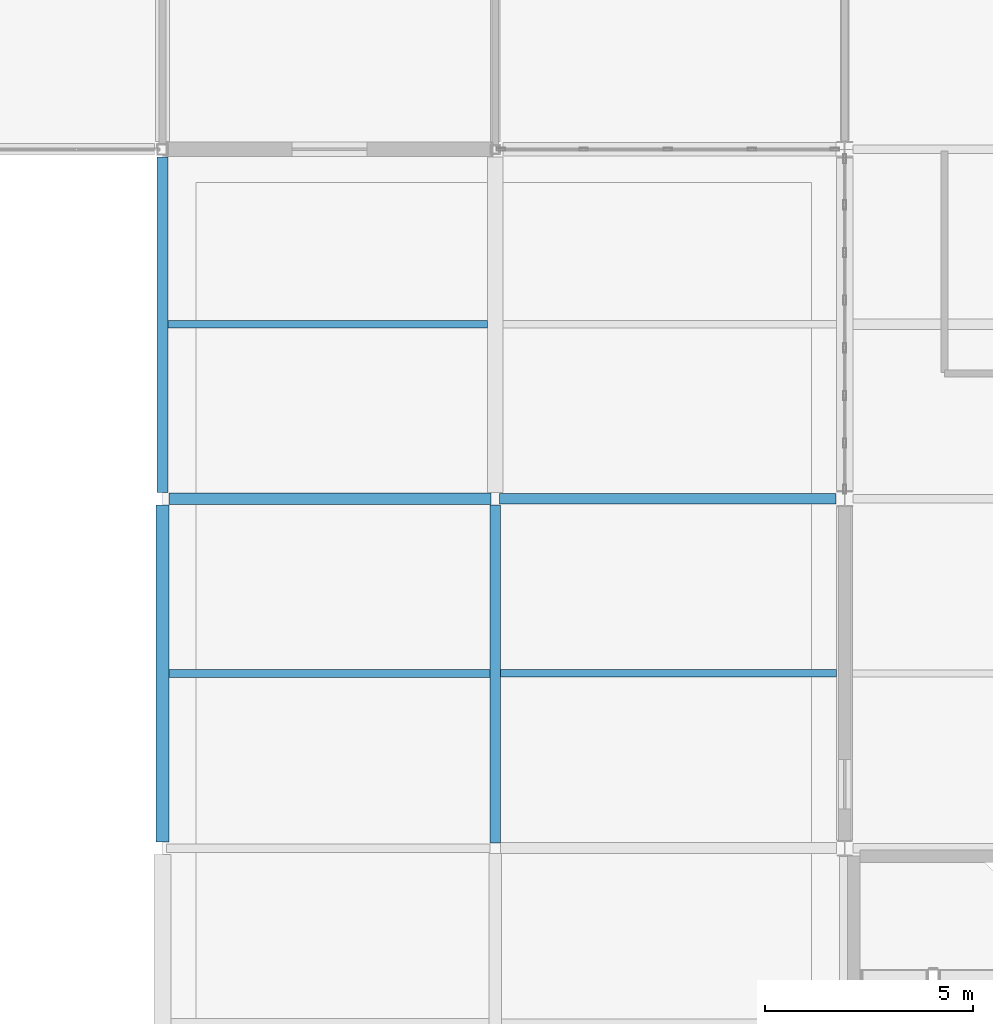
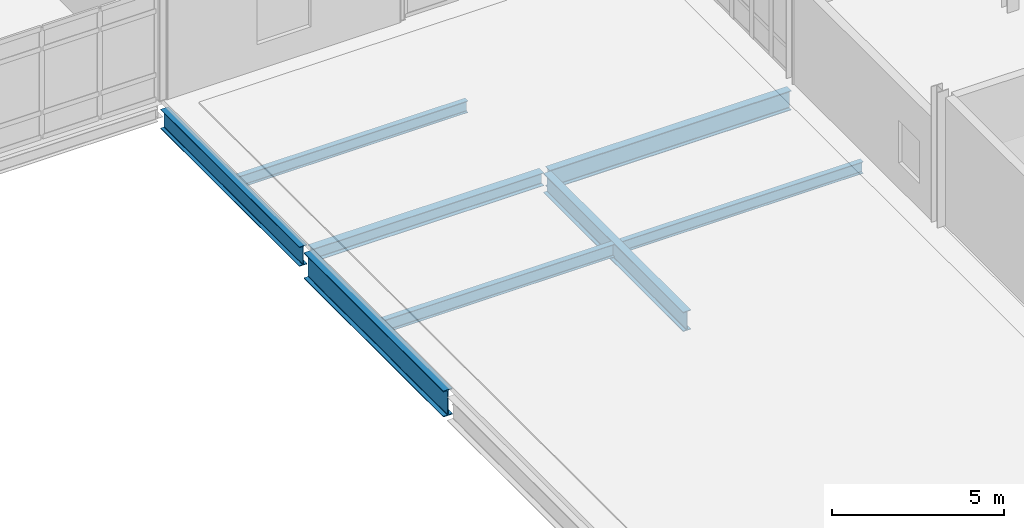
# One storey, part 66 of 186: 8 beams.
"""IFC4 building model written with IfcOpenShell, lengths in metres."""

from ifc_helpers import new_model, si_unit, direction, frame, origin, origin_2d, place, context, subcontext, project, spatial, i_section, extrude, material, material_profile, profile_set, type_object, element, save


model = new_model("IFC4")

# Units and contexts
model_context = context("Model", 3, precision=1e-05, world=origin(), true_north=direction((0.0, 1.0)))
body_context = subcontext(model_context, "Body", "Model", "MODEL_VIEW")
ifc_project = project(units=[si_unit("LENGTHUNIT", "METRE"), si_unit("AREAUNIT", "SQUARE_METRE"), si_unit("VOLUMEUNIT", "CUBIC_METRE"), si_unit("PLANEANGLEUNIT", "RADIAN"), si_unit("MASSUNIT", "GRAM", prefix="KILO")], contexts=[model_context])

# Site, building, storey
site_placement = place(None, origin())
site = spatial("IfcSite", under=ifc_project, at=site_placement, CompositionType="ELEMENT")
building_placement = place(site_placement, origin())
building = spatial("IfcBuilding", under=site, at=building_placement, Name="Calvrana Isthmian Art Gallery", CompositionType="ELEMENT")
storey_placement = place(building_placement, frame((0.0, 0.0, 5.39990234375)))
storey = spatial("IfcBuildingStorey", under=building, at=storey_placement, Name="L01", CompositionType="ELEMENT", Elevation=5.39990234375)

# Beams
ifc_material = material(Name="Steel ASTM A992 Gr 50", Category="steel")
ifc_material_profile_1 = material_profile(ifc_material, i_section(OverallWidth=0.279052734375, OverallDepth=0.4619140625, WebThickness=0.0107421875, FlangeThickness=0.017333984375, FilletRadius=0.02001953125, at=origin_2d()), Name="W18X76")
ifc_profile_set_1 = profile_set([ifc_material_profile_1], Name="Steel ASTM A992 Gr 50")
beam_type_1 = type_object("IfcBeamType", Name="BM-G-W18X76", PredefinedType="BEAM", material=ifc_profile_set_1)
beam_1_placement = place(storey_placement, frame((96.552490234375, 38.39990234375, -0.475830078125), z_axis=(1.0, 0.0, 0.0), x_axis=(0.0, 1.0, 0.0)))
element("IfcBeam", 1, at=beam_1_placement, inside=storey, type_object=beam_type_1, Name="Girder X L01 13-14/F", PredefinedType="BEAM", context=body_context, shape_type="SweptSolid", body=[
    extrude(i_section(OverallWidth=0.279052734375, OverallDepth=0.4619140625, WebThickness=0.0107421875, FlangeThickness=0.017333984375, FilletRadius=0.02001953125, at=origin_2d()), origin(), (0.0, 0.0, 1.0), 7.745849609375),
])
ifc_material_profile_2 = material_profile(ifc_material, i_section(OverallWidth=0.257080078125, OverallDepth=0.693115234375, WebThickness=0.014404296875, FlangeThickness=0.023681640625, FilletRadius=0.02392578125, at=origin_2d()), Name="W27X114")
ifc_profile_set_2 = profile_set([ifc_material_profile_2], Name="Steel ASTM A992 Gr 50")
beam_type_2 = type_object("IfcBeamType", Name="BM-G-W27X114", PredefinedType="BEAM", material=ifc_profile_set_2)
beam_2_placement = place(storey_placement, frame((104.501708984375, 38.39990234375, -0.59130859375), z_axis=(1.0, 0.0, 0.0), x_axis=(0.0, 1.0, 0.0)))
element("IfcBeam", 2, at=beam_2_placement, inside=storey, type_object=beam_type_2, Name="Girder X L01 14-15/F", PredefinedType="BEAM", context=body_context, shape_type="SweptSolid", body=[
    extrude(i_section(OverallWidth=0.257080078125, OverallDepth=0.693115234375, WebThickness=0.014404296875, FlangeThickness=0.023681640625, FilletRadius=0.02392578125, at=origin_2d()), origin(), (0.0, 0.0, 1.0), 8.09619140625),
])
beam_3_placement = place(storey_placement, frame((96.39990234375, 38.552490234375, -0.59130859375), z_axis=(0.0, 1.0, 0.0), x_axis=(-1.0, 0.0, 0.0)))
element("IfcBeam", 3, at=beam_3_placement, inside=storey, type_object=beam_type_2, Name="Girder Y L01 13/F-G", PredefinedType="BEAM", context=body_context, shape_type="SweptSolid", body=[
    extrude(i_section(OverallWidth=0.257080078125, OverallDepth=0.693115234375, WebThickness=0.014404296875, FlangeThickness=0.023681640625, FilletRadius=0.02392578125, at=origin_2d()), origin(), (0.0, 0.0, 1.0), 8.06103515625),
])
beam_4_placement = place(storey_placement, frame((104.39990234375, 30.126953125, -0.59130859375), z_axis=(0.0, 1.0, 0.0), x_axis=(-1.0, 0.0, 0.0)))
element("IfcBeam", 4, at=beam_4_placement, inside=storey, type_object=beam_type_2, Name="Girder Y L01 14/E-F", PredefinedType="BEAM", context=body_context, shape_type="SweptSolid", body=[
    extrude(i_section(OverallWidth=0.257080078125, OverallDepth=0.693115234375, WebThickness=0.014404296875, FlangeThickness=0.023681640625, FilletRadius=0.02392578125, at=origin_2d()), origin(), (0.0, 0.0, 1.0), 8.12060546875),
])
ifc_material_profile_3 = material_profile(ifc_material, i_section(OverallWidth=0.306884765625, OverallDepth=0.927001953125, WebThickness=0.019287109375, FlangeThickness=0.031982421875, FilletRadius=0.028076171875, at=origin_2d()), Name="W36X194")
ifc_profile_set_3 = profile_set([ifc_material_profile_3], Name="Steel ASTM A992 Gr 50")
beam_type_3 = type_object("IfcBeamType", Name="BM-G-W36X194", PredefinedType="BEAM", material=ifc_profile_set_3)
beam_5_placement = place(storey_placement, frame((96.39990234375, 30.15234375, -0.70849609375), z_axis=(0.0, 1.0, 0.0), x_axis=(-1.0, 0.0, 0.0)))
element("IfcBeam", 5, at=beam_5_placement, inside=storey, type_object=beam_type_3, Name="Girder Y L01 13/E-F", PredefinedType="BEAM", context=body_context, shape_type="SweptSolid", body=[
    extrude(i_section(OverallWidth=0.306884765625, OverallDepth=0.927001953125, WebThickness=0.019287109375, FlangeThickness=0.031982421875, FilletRadius=0.028076171875, at=origin_2d()), origin(), (0.0, 0.0, 1.0), 8.09521484375),
])
ifc_material_profile_4 = material_profile(ifc_material, i_section(OverallWidth=0.179931640625, OverallDepth=0.4140625, WebThickness=0.009765625, FlangeThickness=0.01611328125, FilletRadius=0.01806640625, at=origin_2d()), Name="W16X50")
ifc_profile_set_4 = profile_set([ifc_material_profile_4], Name="Steel ASTM A992 Gr 50")
beam_type_4 = type_object("IfcBeamType", Name="BM-J-W16X50", PredefinedType="JOIST", material=ifc_profile_set_4)
beam_6_placement = place(storey_placement, frame((96.528564453125, 42.60009765625, -0.451904296875), z_axis=(1.0, 0.0, 0.0), x_axis=(0.0, 1.0, 0.0)))
element("IfcBeam", 6, at=beam_6_placement, inside=storey, type_object=beam_type_4, Name="Composite joist L01 bay 12-05", PredefinedType="JOIST", context=body_context, shape_type="SweptSolid", body=[
    extrude(i_section(OverallWidth=0.179931640625, OverallDepth=0.4140625, WebThickness=0.009765625, FlangeThickness=0.01611328125, FilletRadius=0.01806640625, at=origin_2d()), origin(), (0.0, 0.0, 1.0), 7.680908203125),
])
beam_7_placement = place(storey_placement, frame((104.528564453125, 34.199951171875, -0.451904296875), z_axis=(1.0, 0.0, 0.0), x_axis=(0.0, 1.0, 0.0)))
element("IfcBeam", 7, at=beam_7_placement, inside=storey, type_object=beam_type_4, Name="Composite joist L01 bay 13-04", PredefinedType="JOIST", context=body_context, shape_type="SweptSolid", body=[
    extrude(i_section(OverallWidth=0.179931640625, OverallDepth=0.4140625, WebThickness=0.009765625, FlangeThickness=0.01611328125, FilletRadius=0.01806640625, at=origin_2d()), origin(), (0.0, 0.0, 1.0), 8.0810546875),
])
ifc_material_profile_5 = material_profile(ifc_material, i_section(OverallWidth=0.19091796875, OverallDepth=0.45703125, WebThickness=0.009033203125, FlangeThickness=0.014404296875, FilletRadius=0.02001953125, at=origin_2d()), Name="W18X50")
ifc_profile_set_5 = profile_set([ifc_material_profile_5], Name="Steel ASTM A992 Gr 50")
beam_type_5 = type_object("IfcBeamType", Name="BM-J-W18X50", PredefinedType="JOIST", material=ifc_profile_set_5)
beam_8_placement = place(storey_placement, frame((96.553466796875, 34.199951171875, -0.473388671875), z_axis=(1.0, 0.0, 0.0), x_axis=(0.0, 1.0, 0.0)))
element("IfcBeam", 8, at=beam_8_placement, inside=storey, type_object=beam_type_5, Name="Composite joist L01 bay 12-04", PredefinedType="JOIST", context=body_context, shape_type="SweptSolid", body=[
    extrude(i_section(OverallWidth=0.19091796875, OverallDepth=0.45703125, WebThickness=0.009033203125, FlangeThickness=0.014404296875, FilletRadius=0.02001953125, at=origin_2d()), origin(), (0.0, 0.0, 1.0), 7.718017578125),
])

save(model, "model.ifc")
